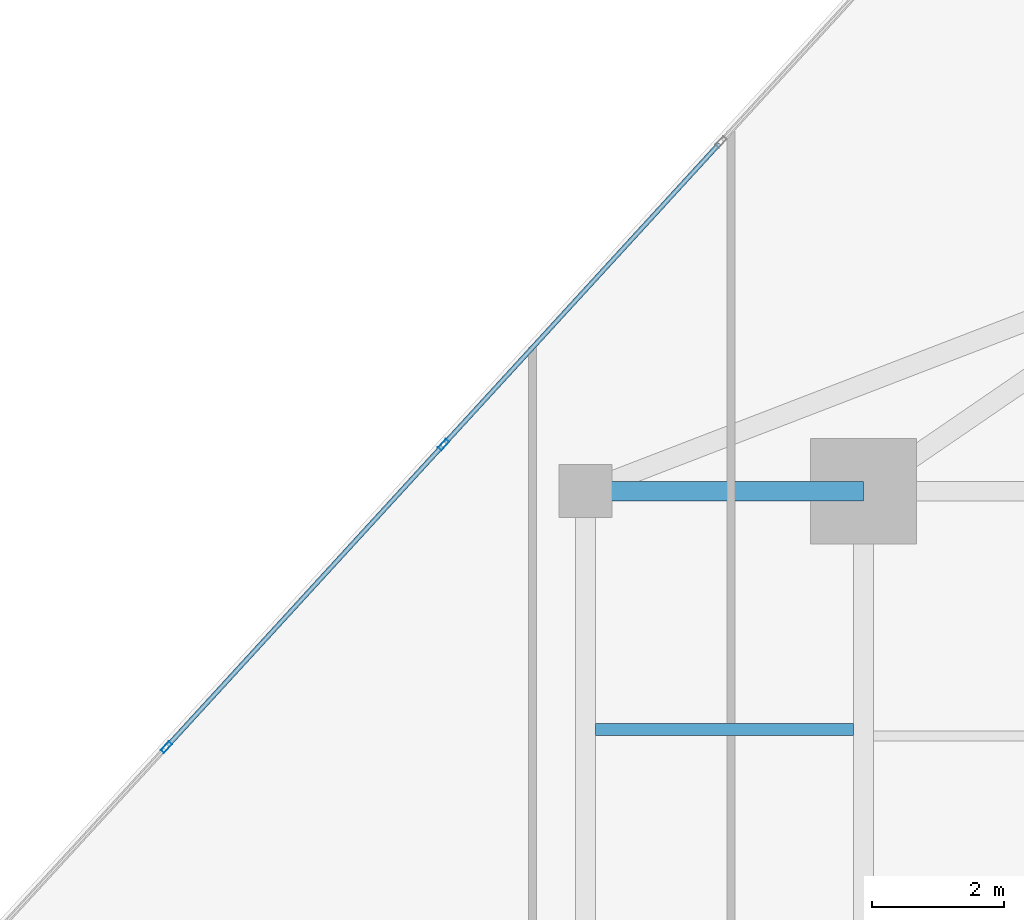
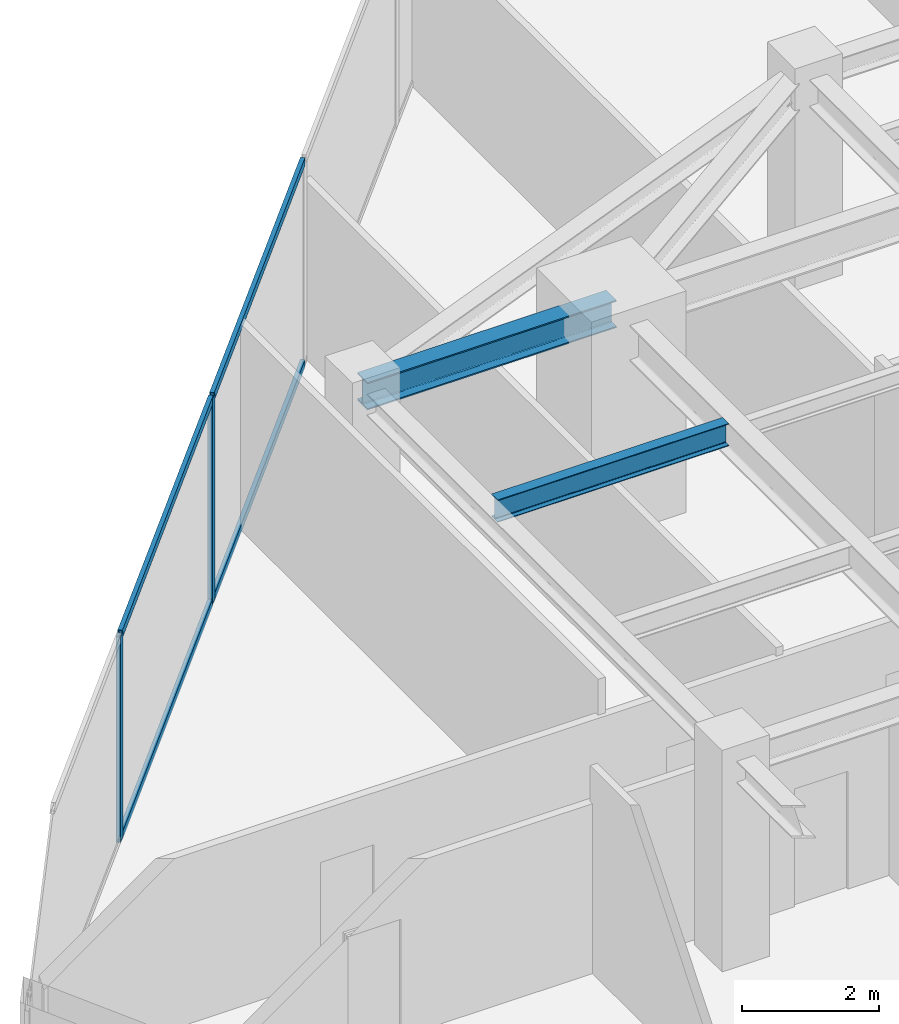
# One storey, part 14 of 26: 6 members, 2 beams, 1 element without a shape of its own.
"""IFC4 building model written with IfcOpenShell, lengths in metres."""

from ifc_helpers import new_model, si_unit, direction, frame, origin, origin_2d, place, context, subcontext, project, spatial, hollow_rectangle, i_section, extrude, source, transform, mapped, material, material_profile, profile_set, type_object, type_shapes, element, aggregate, save


model = new_model("IFC4")

# Units and contexts
model_context = context("Model", 3, precision=1e-05, world=origin(), true_north=direction((0.0, 1.0)))
body_context = subcontext(model_context, "Body", "Model", "MODEL_VIEW")
ifc_project = project(units=[si_unit("LENGTHUNIT", "METRE"), si_unit("AREAUNIT", "SQUARE_METRE"), si_unit("VOLUMEUNIT", "CUBIC_METRE"), si_unit("PLANEANGLEUNIT", "RADIAN"), si_unit("MASSUNIT", "GRAM", prefix="KILO")], contexts=[model_context])

# Site, building, storey
site_placement = place(None, origin())
site = spatial("IfcSite", under=ifc_project, at=site_placement, CompositionType="ELEMENT")
building_placement = place(site_placement, origin())
building = spatial("IfcBuilding", under=site, at=building_placement, Name="Krantzveldt Concourse Tower", CompositionType="ELEMENT")
storey_placement = place(building_placement, frame((0.0, 0.0, 227.050048828125)))
storey = spatial("IfcBuildingStorey", under=building, at=storey_placement, Name="L55", CompositionType="ELEMENT", Elevation=227.050048828125)

# Beams
ifc_material_1 = material(Name="Steel S355JR", Category="steel")
ifc_material_profile_1 = material_profile(ifc_material_1, i_section(OverallWidth=0.300048828125, OverallDepth=0.489990234375, WebThickness=0.011962890625, FlangeThickness=0.02294921875, FilletRadius=0.027099609375, at=origin_2d()), Name="Steel S355JR", Category="steel")
ifc_profile_set_1 = profile_set([ifc_material_profile_1], Name="Steel S355JR - HEA 500")
beam_type_1 = type_object("IfcBeamType", Name="BM-B-HEA500", PredefinedType="BEAM", material=ifc_profile_set_1)
shared_shape_1 = source(origin(), body_context, "Body", "SweptSolid", [
    extrude(i_section(OverallWidth=0.300048828125, OverallDepth=0.489990234375, WebThickness=0.011962890625, FlangeThickness=0.02294921875, FilletRadius=0.027099609375, at=origin_2d()), origin(), (0.0, 0.0, 1.0), 4.199951171875),
])
type_shapes(beam_type_1, [shared_shape_1])
beam_1_placement = place(storey_placement, frame((21.0, 37.5, 3.425048828125), z_axis=(1.0, 0.0, 0.0), x_axis=(0.0, 1.0, 0.0)))
element("IfcBeam", 1, at=beam_1_placement, inside=storey, type_object=beam_type_1, Name="L55 Tower Girder BR-RL3", PredefinedType="BEAM", context=body_context, shape_type="MappedRepresentation", body=[
    mapped(shared_shape_1, transform((0.0, 0.0, 0.0), x_axis=(1.0, 0.0, 0.0), y_axis=(0.0, 1.0, 0.0), z_axis=(0.0, 0.0, 1.0), scale=1.0)),
])
ifc_material_profile_2 = material_profile(ifc_material_1, i_section(OverallWidth=0.179931640625, OverallDepth=0.39990234375, WebThickness=0.008544921875, FlangeThickness=0.013427734375, FilletRadius=0.02099609375, at=origin_2d()), Name="Steel S355JR", Category="steel")
ifc_profile_set_2 = profile_set([ifc_material_profile_2], Name="Steel S355JR - IPE 400")
beam_type_2 = type_object("IfcBeamType", Name="BM-J-IPE400", PredefinedType="JOIST", material=ifc_profile_set_2)
shared_shape_2 = source(origin(), body_context, "Body", "SweptSolid", [
    extrude(i_section(OverallWidth=0.179931640625, OverallDepth=0.39990234375, WebThickness=0.008544921875, FlangeThickness=0.013427734375, FilletRadius=0.02099609375, at=origin_2d()), origin(), (0.0, 0.0, 1.0), 3.900146484375),
])
type_shapes(beam_type_2, [shared_shape_2])
beam_2_placement = place(storey_placement, frame((21.14990234375, 33.89990234375, 3.469970703125), z_axis=(1.0, 0.0, 0.0), x_axis=(0.0, 1.0, 0.0)))
element("IfcBeam", 2, at=beam_2_placement, inside=storey, type_object=beam_type_2, Name="L55 Secondary Floor Joist JW-4", PredefinedType="JOIST", context=body_context, shape_type="MappedRepresentation", body=[
    mapped(shared_shape_2, transform((0.0, 0.0, 0.0), x_axis=(1.0, 0.0, 0.0), y_axis=(0.0, 1.0, 0.0), z_axis=(0.0, 0.0, 1.0), scale=1.0)),
])

# Curtain wall, members
ifc_material_2 = material(Name="Anodised aluminium 6063-T6", Category="aluminium")
curtain_wall_type = type_object("IfcCurtainWallType", Name="CW3", PredefinedType="USERDEFINED", material=ifc_material_2)
curtain_wall_placement = place(storey_placement, origin())
curtain_wall = element("IfcCurtainWall", 3, at=curtain_wall_placement, inside=storey, type_object=curtain_wall_type, Name="CW-L55-F01", ObjectType="UNITISED CURTAIN WALL", PredefinedType="USERDEFINED")
ifc_material_profile_3 = material_profile(ifc_material_2, hollow_rectangle(XDim=0.070068359375, YDim=0.179931640625, WallThickness=0.0048828125, at=origin_2d()), Name="Anodised aluminium 6063-T6", Category="aluminium")
ifc_profile_set_3 = profile_set([ifc_material_profile_3], Name="Anodised aluminium 6063-T6 - ALU-MULL 180x70x5")
member_type_1 = type_object("IfcMemberType", Name="CW-MUL-180", PredefinedType="MULLION", material=ifc_profile_set_3)
shared_shape_3 = source(origin(), body_context, "Body", "SweptSolid", [
    extrude(hollow_rectangle(XDim=0.070068359375, YDim=0.179931640625, WallThickness=0.0048828125, at=origin_2d()), origin(), (0.0, 0.0, 1.0), 3.669921875),
])
type_shapes(member_type_1, [shared_shape_3])
member_1_placement = place(storey_placement, frame((18.85791015625, 38.203125, 0.0), z_axis=(0.0, 0.0, 1.0), x_axis=(0.737277477893, -0.675590053651, 0.0)))
member_1 = element("IfcMember", 4, at=member_1_placement, type_object=member_type_1, Name="CW-Z34 mullion 4", PredefinedType="MULLION", context=body_context, shape_type="MappedRepresentation", body=[
    mapped(shared_shape_3, transform((0.0, 0.0, 0.0), x_axis=(1.0, 0.0, 0.0), y_axis=(0.0, 1.0, 0.0), z_axis=(0.0, 0.0, 1.0), scale=1.0)),
])
member_2_placement = place(storey_placement, frame((14.669189453125, 33.632080078125, 0.0), z_axis=(0.0, 0.0, 1.0), x_axis=(0.737277477893, -0.675590053651, 0.0)))
member_2 = element("IfcMember", 5, at=member_2_placement, type_object=member_type_1, Name="CW-Z34 mullion 5", PredefinedType="MULLION", context=body_context, shape_type="MappedRepresentation", body=[
    mapped(shared_shape_3, transform((0.0, 0.0, 0.0), x_axis=(1.0, 0.0, 0.0), y_axis=(0.0, 1.0, 0.0), z_axis=(0.0, 0.0, 1.0), scale=1.0)),
])
ifc_material_profile_4 = material_profile(ifc_material_2, hollow_rectangle(XDim=0.070068359375, YDim=0.139892578125, WallThickness=0.0048828125, at=origin_2d()), Name="Anodised aluminium 6063-T6", Category="aluminium")
ifc_profile_set_4 = profile_set([ifc_material_profile_4], Name="Anodised aluminium 6063-T6 - ALU-TRAN 140x70x5")
member_type_2 = type_object("IfcMemberType", Name="CW-TRN-150", PredefinedType="USERDEFINED", material=ifc_profile_set_4)
shared_shape_4 = source(origin(), body_context, "Body", "SweptSolid", [
    extrude(hollow_rectangle(XDim=0.070068359375, YDim=0.139892578125, WallThickness=0.0048828125, at=origin_2d()), origin(), (0.0, 0.0, 1.0), 6.130126953125),
])
type_shapes(member_type_2, [shared_shape_4])
member_3_placement = place(storey_placement, frame((23.02294921875, 42.74853515625, 0.034912109375), z_axis=(-0.675587551404, -0.737279770771, 0.0), x_axis=(0.737279770771, -0.675587551404, 0.0)))
member_3 = element("IfcMember", 6, at=member_3_placement, type_object=member_type_2, Name="CW-Z34 transom 3.1", ObjectType="TRANSOM", PredefinedType="USERDEFINED", context=body_context, shape_type="MappedRepresentation", body=[
    mapped(shared_shape_4, transform((0.0, 0.0, 0.0), x_axis=(1.0, 0.0, 0.0), y_axis=(0.0, 1.0, 0.0), z_axis=(0.0, 0.0, 1.0), scale=1.0)),
])
member_4_placement = place(storey_placement, frame((23.02294921875, 42.74853515625, 3.635009765625), z_axis=(-0.675587551404, -0.737279770771, 0.0), x_axis=(0.737279770771, -0.675587551404, 0.0)))
member_4 = element("IfcMember", 7, at=member_4_placement, type_object=member_type_2, Name="CW-Z34 transom 3.2", ObjectType="TRANSOM", PredefinedType="USERDEFINED", context=body_context, shape_type="MappedRepresentation", body=[
    mapped(shared_shape_4, transform((0.0, 0.0, 0.0), x_axis=(1.0, 0.0, 0.0), y_axis=(0.0, 1.0, 0.0), z_axis=(0.0, 0.0, 1.0), scale=1.0)),
])
member_5_placement = place(storey_placement, frame((18.834228515625, 38.177490234375, 0.034912109375), z_axis=(-0.675587551404, -0.737279770771, 0.0), x_axis=(0.737279770771, -0.675587551404, 0.0)))
member_5 = element("IfcMember", 8, at=member_5_placement, type_object=member_type_2, Name="CW-Z34 transom 4.1", ObjectType="TRANSOM", PredefinedType="USERDEFINED", context=body_context, shape_type="MappedRepresentation", body=[
    mapped(shared_shape_4, transform((0.0, 0.0, 0.0), x_axis=(1.0, 0.0, 0.0), y_axis=(0.0, 1.0, 0.0), z_axis=(0.0, 0.0, 1.0), scale=1.0)),
])
member_6_placement = place(storey_placement, frame((18.834228515625, 38.177490234375, 3.635009765625), z_axis=(-0.675587551404, -0.737279770771, 0.0), x_axis=(0.737279770771, -0.675587551404, 0.0)))
member_6 = element("IfcMember", 9, at=member_6_placement, type_object=member_type_2, Name="CW-Z34 transom 4.2", ObjectType="TRANSOM", PredefinedType="USERDEFINED", context=body_context, shape_type="MappedRepresentation", body=[
    mapped(shared_shape_4, transform((0.0, 0.0, 0.0), x_axis=(1.0, 0.0, 0.0), y_axis=(0.0, 1.0, 0.0), z_axis=(0.0, 0.0, 1.0), scale=1.0)),
])
aggregate(curtain_wall, [member_1, member_2, member_3, member_4, member_5, member_6])

save(model, "model.ifc")
